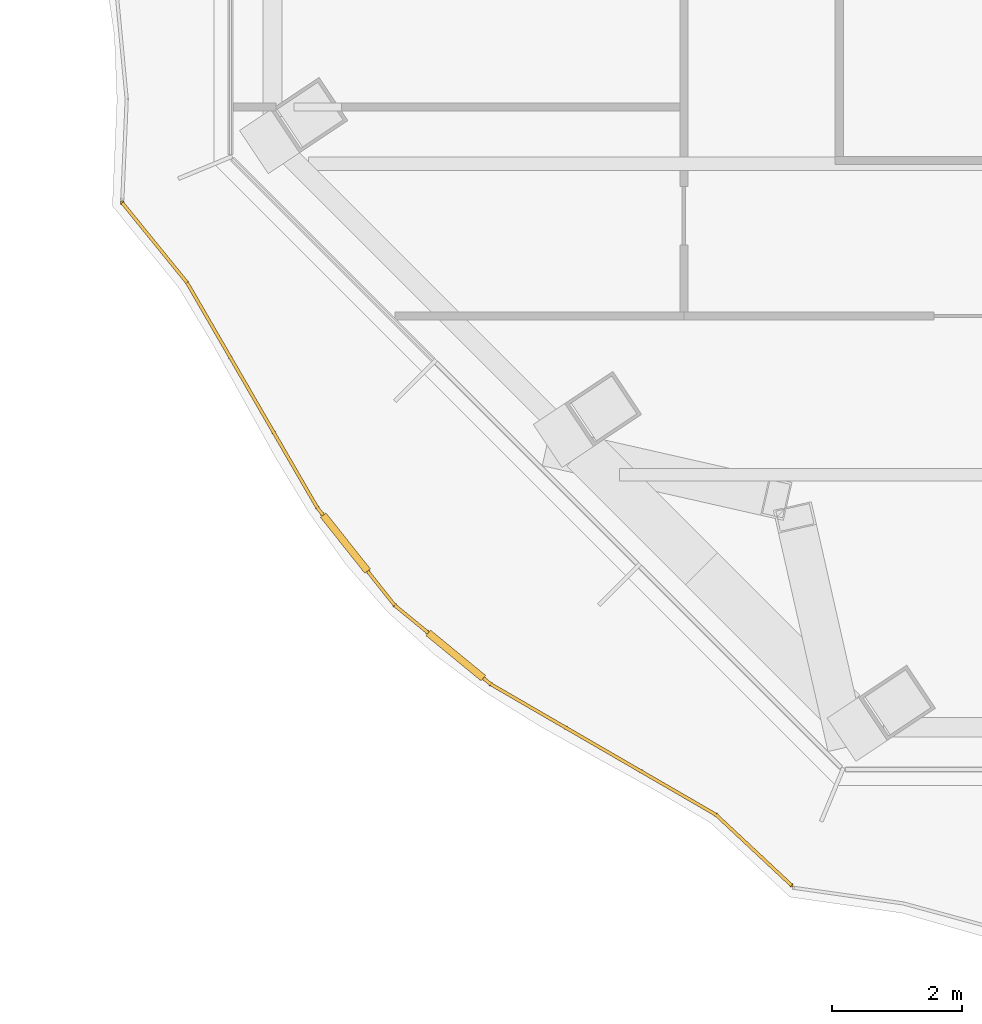
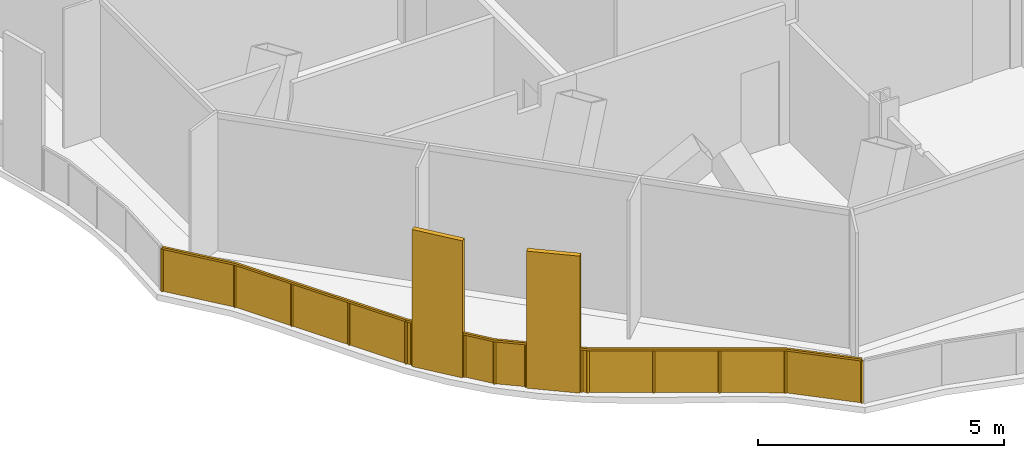
# One storey, part 13 of 19: 1 railing.
"""IFC4 building model written with IfcOpenShell, lengths in metres."""

import ifcopenshell
import ifcopenshell.guid

model = None  # the IFC model being written
_history = None  # IfcOwnerHistory: only IFC2X3 demands one
_inside = {}  # id of a spatial element -> (the spatial element, [elements in it])
_under = {}  # id of a project, library or spatial element -> (it, [spatial elements below it])
_declared = {}  # id of a project -> (the project, [libraries it declares])
_typed = {}  # id of a type object -> (the type object, [elements of that type])
_made_of = {}  # id of a material, layer set ... -> (it, [elements and type objects made of it])


def new_model(schema):
    """Start an empty IFC model of exactly this schema.

    Asked for "IFC4X3", IfcOpenShell would pick the latest addendum, in which some entities
    have other attributes; the version numbers below select the first issue.
    IFC2X3 requires an IfcOwnerHistory on every rooted entity: one is made here for all.
    """
    global model, _history
    if schema == "IFC4X3":
        model = ifcopenshell.file(schema_version=(4, 3, 0, 0))
    else:
        model = ifcopenshell.file(schema=schema)
    _inside.clear()
    _under.clear()
    _declared.clear()
    _typed.clear()
    _made_of.clear()
    _history = None
    if model.schema == "IFC2X3":
        org = make("IfcOrganization", Name="unknown")
        user = make(
            "IfcPersonAndOrganization",
            ThePerson=make("IfcPerson", FamilyName="unknown"),
            TheOrganization=org,
        )
        app = make(
            "IfcApplication",
            ApplicationDeveloper=org,
            Version="unknown",
            ApplicationFullName="unknown",
            ApplicationIdentifier="unknown",
        )
        _history = make(
            "IfcOwnerHistory",
            OwningUser=user,
            OwningApplication=app,
            ChangeAction="ADDED",
            CreationDate=0,
        )
    return model


def make(cls, **values):
    """One entity of the class cls with the attributes given. An attribute that is None is left unset."""
    return model.create_entity(
        cls, **{name: value for name, value in values.items() if value is not None}
    )


def rooted(cls, **values):
    """An entity with a GlobalId (a new one), such as an element, a storey or a relation."""
    return make(cls, GlobalId=ifcopenshell.guid.new(), OwnerHistory=_history, **values)


def si_unit(unit_type, name, prefix=None):
    """IfcSIUnit, for example si_unit("LENGTHUNIT", "METRE", prefix="MILLI")."""
    return make("IfcSIUnit", UnitType=unit_type, Prefix=prefix, Name=name)


def assignment(units):
    """IfcUnitAssignment: the units of a project."""
    return None if units is None else make("IfcUnitAssignment", Units=units)


def point(xyz):
    """IfcCartesianPoint."""
    return None if xyz is None else make("IfcCartesianPoint", Coordinates=xyz)


def direction(xyz):
    """IfcDirection."""
    return None if xyz is None else make("IfcDirection", DirectionRatios=xyz)


def frame(location, z_axis=None, x_axis=None):
    """IfcAxis2Placement3D, a coordinate frame: its origin and axes. An axis left out is left unset."""
    return make(
        "IfcAxis2Placement3D",
        Location=point(location),
        Axis=direction(z_axis),
        RefDirection=direction(x_axis),
    )


def frame_2d(location, x_axis=None):
    """IfcAxis2Placement2D, a coordinate frame in the plane: its origin and x axis."""
    return make(
        "IfcAxis2Placement2D", Location=point(location), RefDirection=direction(x_axis)
    )


def origin():
    """The frame at (0, 0, 0) with its axes left unset."""
    return frame((0.0, 0.0, 0.0))


def origin_2d():
    """The frame at (0, 0) in the plane with its x axis left unset."""
    return frame_2d((0.0, 0.0))


def place(relative_to, where):
    """IfcLocalPlacement: puts the frame where relative to a parent placement (None: the world)."""
    return make(
        "IfcLocalPlacement", PlacementRelTo=relative_to, RelativePlacement=where
    )


def context(
    kind, dimensions, precision=None, world=None, true_north=None, identifier=None
):
    """IfcGeometricRepresentationContext, for example the 3D "Model" context."""
    return make(
        "IfcGeometricRepresentationContext",
        ContextIdentifier=identifier,
        ContextType=kind,
        CoordinateSpaceDimension=dimensions,
        Precision=precision,
        WorldCoordinateSystem=world,
        TrueNorth=true_north,
    )


def subcontext(parent, identifier, kind, view, scale=None):
    """IfcGeometricRepresentationSubContext, for example "Body" below "Model"."""
    return make(
        "IfcGeometricRepresentationSubContext",
        ContextIdentifier=identifier,
        ContextType=kind,
        ParentContext=parent,
        TargetScale=scale,
        TargetView=view,
    )


def project(units=None, contexts=None):
    """IfcProject with its units and contexts."""
    return rooted(
        "IfcProject",
        Name="project",
        RepresentationContexts=contexts,
        UnitsInContext=assignment(units),
    )


def spatial(cls, under=None, at=None, **own):
    """A site, building, storey or space (cls), placed at a placement, below another one or the project."""
    s = rooted(cls, ObjectPlacement=at, **own)
    if under is not None:
        _under.setdefault(under.id(), (under, []))[1].append(s)
    return s


def polyline(points):
    """IfcPolyline through the points."""
    return make("IfcPolyline", Points=[point(p) for p in points])


def profile(cls, at=None, kind="AREA", **sizes):
    """A parametric profile (cls). Its sizes go by their IFC names, for example OverallWidth=200.0."""
    return make(cls, ProfileType=kind, Position=at, **sizes)


def rectangle(**sizes):
    """IfcRectangleProfileDef."""
    return profile("IfcRectangleProfileDef", **sizes)


def outline(outer, holes=None, kind="AREA"):
    """IfcArbitraryClosedProfileDef: a profile drawn as a closed curve; with holes, ...WithVoids."""
    if holes is None:
        return make("IfcArbitraryClosedProfileDef", ProfileType=kind, OuterCurve=outer)
    return make(
        "IfcArbitraryProfileDefWithVoids",
        ProfileType=kind,
        OuterCurve=outer,
        InnerCurves=holes,
    )


def extrude(swept, where, along, depth):
    """IfcExtrudedAreaSolid: the profile swept, set in the frame where, extruded along a direction by depth."""
    return make(
        "IfcExtrudedAreaSolid",
        SweptArea=swept,
        Position=where,
        ExtrudedDirection=direction(along),
        Depth=depth,
    )


def shape(context_of_items, identifier, shape_type, items):
    """IfcShapeRepresentation: the items that make up one representation, for example the "Body"."""
    return make(
        "IfcShapeRepresentation",
        ContextOfItems=context_of_items,
        RepresentationIdentifier=identifier,
        RepresentationType=shape_type,
        Items=items,
    )


def material(Name=None, Category=None):
    """IfcMaterial."""
    return make("IfcMaterial", Name=Name, Category=Category)


def made_of(thing, what):
    """Note that an element or type object is made of a material, layer set ...; save() writes the relation."""
    if what is not None:
        _made_of.setdefault(what.id(), (what, []))[1].append(thing)
    return thing


def type_object(cls, material=None, **own):
    """A type object (cls), such as IfcWallType, which elements share."""
    return made_of(rooted(cls, **own), material)


def element(
    cls,
    number,
    at=None,
    inside=None,
    cuts=None,
    type_object=None,
    material=None,
    context=None,
    identifier="Body",
    shape_type=None,
    held_by="IfcProductDefinitionShape",
    body=None,
    shapes=None,
    **own,
):
    """One element of the class cls, such as IfcWall. Its Tag is "e" and its number.

    at: its placement. inside: the storey or other place that contains it. cuts: it is an
    opening in that element (IfcRelVoidsElement). A single representation is given by context,
    identifier, shape_type and body (its items); several are given by shapes. held_by: the class
    of the entity that holds the representations. save() writes the other relations.
    """
    e = rooted(cls, Tag="e%d" % number, ObjectPlacement=at, **own)
    if body is not None:
        shapes = [shape(context, identifier, shape_type, body)]
    if shapes is not None:
        e.Representation = make(held_by, Representations=shapes)
    if inside is not None:
        _inside.setdefault(inside.id(), (inside, []))[1].append(e)
    if cuts is not None:
        rooted(
            "IfcRelVoidsElement", RelatingBuildingElement=cuts, RelatedOpeningElement=e
        )
    if type_object is not None:
        _typed.setdefault(type_object.id(), (type_object, []))[1].append(e)
    return made_of(e, material)


def aggregate(whole, parts):
    """IfcRelAggregates: a whole, such as a stair, and the parts it consists of."""
    return rooted("IfcRelAggregates", RelatingObject=whole, RelatedObjects=parts)


def save(model, path):
    """Write the relations noted so far, then the file.

    IfcRelAggregates (storeys below a building ...), IfcRelContainedInSpatialStructure (elements
    in a storey), IfcRelDefinesByType, IfcRelAssociatesMaterial and IfcRelDeclares: one each for
    every whole, place, type object, material and project.
    """
    for whole, parts in _under.values():
        aggregate(whole, parts)
    for where, things in _inside.values():
        rooted(
            "IfcRelContainedInSpatialStructure",
            RelatedElements=things,
            RelatingStructure=where,
        )
    for kind, things in _typed.values():
        rooted("IfcRelDefinesByType", RelatedObjects=things, RelatingType=kind)
    for what, things in _made_of.values():
        rooted("IfcRelAssociatesMaterial", RelatedObjects=things, RelatingMaterial=what)
    for by, libraries in _declared.values():
        rooted("IfcRelDeclares", RelatingContext=by, RelatedDefinitions=libraries)
    model.write(path)


model = new_model("IFC4")

# Units and contexts
model_context = context("Model", 3, precision=1e-05, world=origin(), true_north=direction((0.0, 1.0)))
body_context = subcontext(model_context, "Body", "Model", "MODEL_VIEW")
ifc_project = project(units=[si_unit("LENGTHUNIT", "METRE"), si_unit("AREAUNIT", "SQUARE_METRE"), si_unit("VOLUMEUNIT", "CUBIC_METRE"), si_unit("PLANEANGLEUNIT", "RADIAN"), si_unit("MASSUNIT", "GRAM", prefix="KILO")], contexts=[model_context])

# Site, building, storey
site_placement = place(None, origin())
site = spatial("IfcSite", under=ifc_project, at=site_placement, CompositionType="ELEMENT")
building_placement = place(site_placement, origin())
building = spatial("IfcBuilding", under=site, at=building_placement, Name="Cairn Pilgrim Tower", CompositionType="ELEMENT")
storey_placement = place(building_placement, frame((0.0, 0.0, 97.800048828125)))
storey = spatial("IfcBuildingStorey", under=building, at=storey_placement, Name="L23", CompositionType="ELEMENT", Elevation=97.800048828125)

# Railing
ifc_material = material(Name="Bronze anodised aluminium rail, posts and fin screens with laminated glass infill", Category="aluminium")
railing_type = type_object("IfcRailingType", Name="BALCONY GUARD WITH FIN SCREENS", PredefinedType="GUARDRAIL", material=ifc_material)
railing_placement = place(storey_placement, frame((-28.133056640625, -13.609619140625, 0.0)))
element("IfcRailing", 1, at=railing_placement, inside=storey, type_object=railing_type, Name="Balcony guard BGF-8 with fin screens", PredefinedType="GUARDRAIL", context=body_context, shape_type="SweptSolid", body=[
    extrude(rectangle(XDim=0.050048828125, YDim=0.050048828125, at=origin_2d()), frame((0.0, 0.0, 1.0751953125), z_axis=(0.630296766582, -0.776354291568, 0.0), x_axis=(0.776354291568, 0.630296766582, 0.0)), (0.0, 0.0, 1.0), 1.584716796875),
    extrude(rectangle(XDim=0.050048828125, YDim=0.050048828125, at=origin_2d()), frame((0.998779296875, -1.230224609375, 1.0751953125), z_axis=(0.500904454341, -0.865502586721, 0.0), x_axis=(0.865502586721, 0.500904454341, 0.0)), (0.0, 0.0, 1.0), 4.015625),
    extrude(rectangle(XDim=1.10009765625, YDim=0.110107421875, at=origin_2d()), frame((3.4453125, -5.25439453125, 0.0), z_axis=(0.0, 0.0, 1.0), x_axis=(0.621349078324, -0.78353386836, 0.0)), (0.0, 0.0, 1.0), 3.39990234375),
    extrude(rectangle(XDim=0.050048828125, YDim=0.050048828125, at=origin_2d()), frame((3.01025390625, -4.705810546875, 1.0751953125), z_axis=(0.621349078324, -0.78353386836, 0.0), x_axis=(0.78353386836, 0.621349078324, 0.0)), (0.0, 0.0, 1.0), 0.14990234375),
    extrude(rectangle(XDim=0.050048828125, YDim=0.050048828125, at=origin_2d()), frame((3.786865234375, -5.685302734375, 1.0751953125), z_axis=(0.621349078324, -0.78353386836, 0.0), x_axis=(0.78353386836, 0.621349078324, 0.0)), (0.0, 0.0, 1.0), 0.67529296875),
    extrude(rectangle(XDim=1.10009765625, YDim=0.110107421875, at=origin_2d()), frame((5.14990234375, -6.989013671875, 0.0), z_axis=(0.0, 0.0, 1.0), x_axis=(0.77286874502, -0.634565916964, 0.0)), (0.0, 0.0, 1.0), 3.39990234375),
    extrude(rectangle(XDim=0.050048828125, YDim=0.050048828125, at=origin_2d()), frame((4.20654296875, -6.21435546875, 1.0751953125), z_axis=(0.77286874502, -0.634565916964, 0.0), x_axis=(0.634565916964, 0.77286874502, 0.0)), (0.0, 0.0, 1.0), 0.670654296875),
    extrude(rectangle(XDim=0.050048828125, YDim=0.050048828125, at=origin_2d()), frame((5.574951171875, -7.337890625, 1.0751953125), z_axis=(0.77286874502, -0.634565916964, 0.0), x_axis=(0.634565916964, 0.77286874502, 0.0)), (0.0, 0.0, 1.0), 0.14990234375),
    extrude(rectangle(XDim=0.050048828125, YDim=0.050048828125, at=origin_2d()), frame((5.69091796875, -7.43310546875, 1.0751953125), z_axis=(0.865115550446, -0.50157261127, 0.0), x_axis=(0.50157261127, 0.865115550446, 0.0)), (0.0, 0.0, 1.0), 4.0185546875),
    extrude(rectangle(XDim=0.050048828125, YDim=0.050048828125, at=origin_2d()), frame((9.16748046875, -9.44873046875, 1.0751953125), z_axis=(0.730907449536, -0.682476593161, 0.0), x_axis=(0.682476593161, 0.730907449536, 0.0)), (0.0, 0.0, 1.0), 1.593017578125),
    extrude(rectangle(XDim=0.050048828125, YDim=0.050048828125, at=origin_2d()), origin(), (0.0, 0.0, 1.0), 1.050048828125),
    extrude(rectangle(XDim=0.050048828125, YDim=0.050048828125, at=origin_2d()), frame((0.998779296875, -1.230224609375, 0.0)), (0.0, 0.0, 1.0), 1.050048828125),
    extrude(rectangle(XDim=0.050048828125, YDim=0.050048828125, at=origin_2d()), frame((1.669189453125, -2.388671875, 0.0)), (0.0, 0.0, 1.0), 1.050048828125),
    extrude(rectangle(XDim=0.050048828125, YDim=0.050048828125, at=origin_2d()), frame((2.33984375, -3.54736328125, 0.0)), (0.0, 0.0, 1.0), 1.050048828125),
    extrude(rectangle(XDim=0.050048828125, YDim=0.050048828125, at=origin_2d()), frame((3.01025390625, -4.705810546875, 0.0)), (0.0, 0.0, 1.0), 1.050048828125),
    extrude(rectangle(XDim=0.050048828125, YDim=0.050048828125, at=origin_2d()), frame((3.087890625, -4.8037109375, 0.0)), (0.0, 0.0, 1.0), 1.050048828125),
    extrude(rectangle(XDim=0.050048828125, YDim=0.050048828125, at=origin_2d()), frame((3.802490234375, -5.704833984375, 0.0)), (0.0, 0.0, 1.0), 1.050048828125),
    extrude(rectangle(XDim=0.050048828125, YDim=0.050048828125, at=origin_2d()), frame((4.20654296875, -6.21435546875, 0.0)), (0.0, 0.0, 1.0), 1.050048828125),
    extrude(rectangle(XDim=0.050048828125, YDim=0.050048828125, at=origin_2d()), frame((4.70556640625, -6.6240234375, 0.0)), (0.0, 0.0, 1.0), 1.050048828125),
    extrude(rectangle(XDim=0.050048828125, YDim=0.050048828125, at=origin_2d()), frame((5.594482421875, -7.353759765625, 0.0)), (0.0, 0.0, 1.0), 1.050048828125),
    extrude(rectangle(XDim=0.050048828125, YDim=0.050048828125, at=origin_2d()), frame((5.69091796875, -7.43310546875, 0.0)), (0.0, 0.0, 1.0), 1.050048828125),
    extrude(rectangle(XDim=0.050048828125, YDim=0.050048828125, at=origin_2d()), frame((6.849853515625, -8.10498046875, 0.0)), (0.0, 0.0, 1.0), 1.050048828125),
    extrude(rectangle(XDim=0.050048828125, YDim=0.050048828125, at=origin_2d()), frame((8.008544921875, -8.77685546875, 0.0)), (0.0, 0.0, 1.0), 1.050048828125),
    extrude(rectangle(XDim=0.050048828125, YDim=0.050048828125, at=origin_2d()), frame((9.16748046875, -9.44873046875, 0.0)), (0.0, 0.0, 1.0), 1.050048828125),
    extrude(rectangle(XDim=0.050048828125, YDim=0.050048828125, at=origin_2d()), frame((10.331787109375, -10.535888671875, 0.0)), (0.0, 0.0, 1.0), 1.050048828125),
    extrude(outline(polyline([(0.02490234375, 0.0), (1.5595703125, 0.0), (1.5595703125, 1.050048828125), (0.02490234375, 1.050048828125), (0.02490234375, 0.0)])), frame((0.004638671875, 0.003662109375, 0.0), z_axis=(-0.776354291568, -0.630296766582, 0.0), x_axis=(0.630296766582, -0.776354291568, 0.0)), (0.0, 0.0, 1.0), 0.011962890625),
    extrude(outline(polyline([(0.02490234375, 0.0), (1.3134765625, 0.0), (1.3134765625, 1.050048828125), (0.02490234375, 1.050048828125), (0.02490234375, 0.0)])), frame((1.00390625, -1.227294921875, 0.0), z_axis=(-0.865502586721, -0.500904454341, 0.0), x_axis=(0.500904454341, -0.865502586721, 0.0)), (0.0, 0.0, 1.0), 0.011962890625),
    extrude(outline(polyline([(0.02490234375, 0.0), (1.3134765625, 0.0), (1.3134765625, 1.050048828125), (0.02490234375, 1.050048828125), (0.02490234375, 0.0)])), frame((1.674560546875, -2.3857421875, 0.0), z_axis=(-0.865502586721, -0.500904454341, 0.0), x_axis=(0.500904454341, -0.865502586721, 0.0)), (0.0, 0.0, 1.0), 0.011962890625),
    extrude(outline(polyline([(0.02490234375, 0.0), (1.3134765625, 0.0), (1.3134765625, 1.050048828125), (0.02490234375, 1.050048828125), (0.02490234375, 0.0)])), frame((2.344970703125, -3.544189453125, 0.0), z_axis=(-0.865502586721, -0.500904454341, 0.0), x_axis=(0.500904454341, -0.865502586721, 0.0)), (0.0, 0.0, 1.0), 0.011962890625),
    extrude(outline(polyline([(0.02490234375, 0.0), (0.099853515625, 0.0), (0.099853515625, 1.050048828125), (0.02490234375, 1.050048828125), (0.02490234375, 0.0)])), frame((3.014892578125, -4.7021484375, 0.0), z_axis=(-0.78353386836, -0.621349078324, 0.0), x_axis=(0.621349078324, -0.78353386836, 0.0)), (0.0, 0.0, 1.0), 0.011962890625),
    extrude(outline(polyline([(0.02490234375, 0.0), (0.625244140625, 0.0), (0.625244140625, 1.050048828125), (0.02490234375, 1.050048828125), (0.02490234375, 0.0)])), frame((3.80712890625, -5.701171875, 0.0), z_axis=(-0.78353386836, -0.621349078324, 0.0), x_axis=(0.621349078324, -0.78353386836, 0.0)), (0.0, 0.0, 1.0), 0.011962890625),
    extrude(outline(polyline([(0.02490234375, 0.0), (0.62060546875, 0.0), (0.62060546875, 1.050048828125), (0.02490234375, 1.050048828125), (0.02490234375, 0.0)])), frame((4.21044921875, -6.209716796875, 0.0), z_axis=(-0.634565916964, -0.77286874502, 0.0), x_axis=(0.77286874502, -0.634565916964, 0.0)), (0.0, 0.0, 1.0), 0.011962890625),
    extrude(outline(polyline([(0.02490234375, 0.0), (0.099853515625, 0.0), (0.099853515625, 1.050048828125), (0.02490234375, 1.050048828125), (0.02490234375, 0.0)])), frame((5.59814453125, -7.34912109375, 0.0), z_axis=(-0.634565916964, -0.77286874502, 0.0), x_axis=(0.77286874502, -0.634565916964, 0.0)), (0.0, 0.0, 1.0), 0.011962890625),
    extrude(outline(polyline([(0.02490234375, 0.0), (1.314453125, 0.0), (1.314453125, 1.050048828125), (0.02490234375, 1.050048828125), (0.02490234375, 0.0)])), frame((5.69384765625, -7.427978515625, 0.0), z_axis=(-0.50157261127, -0.865115550446, 0.0), x_axis=(0.865115550446, -0.50157261127, 0.0)), (0.0, 0.0, 1.0), 0.011962890625),
    extrude(outline(polyline([(0.02490234375, 0.0), (1.314453125, 0.0), (1.314453125, 1.050048828125), (0.02490234375, 1.050048828125), (0.02490234375, 0.0)])), frame((6.852783203125, -8.099853515625, 0.0), z_axis=(-0.50157261127, -0.865115550446, 0.0), x_axis=(0.865115550446, -0.50157261127, 0.0)), (0.0, 0.0, 1.0), 0.011962890625),
    extrude(outline(polyline([(0.02490234375, 0.0), (1.314453125, 0.0), (1.314453125, 1.050048828125), (0.02490234375, 1.050048828125), (0.02490234375, 0.0)])), frame((8.01171875, -8.771728515625, 0.0), z_axis=(-0.50157261127, -0.865115550446, 0.0), x_axis=(0.865115550446, -0.50157261127, 0.0)), (0.0, 0.0, 1.0), 0.011962890625),
    extrude(outline(polyline([(0.02490234375, 0.0), (1.56787109375, 0.0), (1.56787109375, 1.050048828125), (0.02490234375, 1.050048828125), (0.02490234375, 0.0)])), frame((9.171630859375, -9.4443359375, 0.0), z_axis=(-0.682476593161, -0.730907449536, 0.0), x_axis=(0.730907449536, -0.682476593161, 0.0)), (0.0, 0.0, 1.0), 0.011962890625),
])

save(model, "model.ifc")
